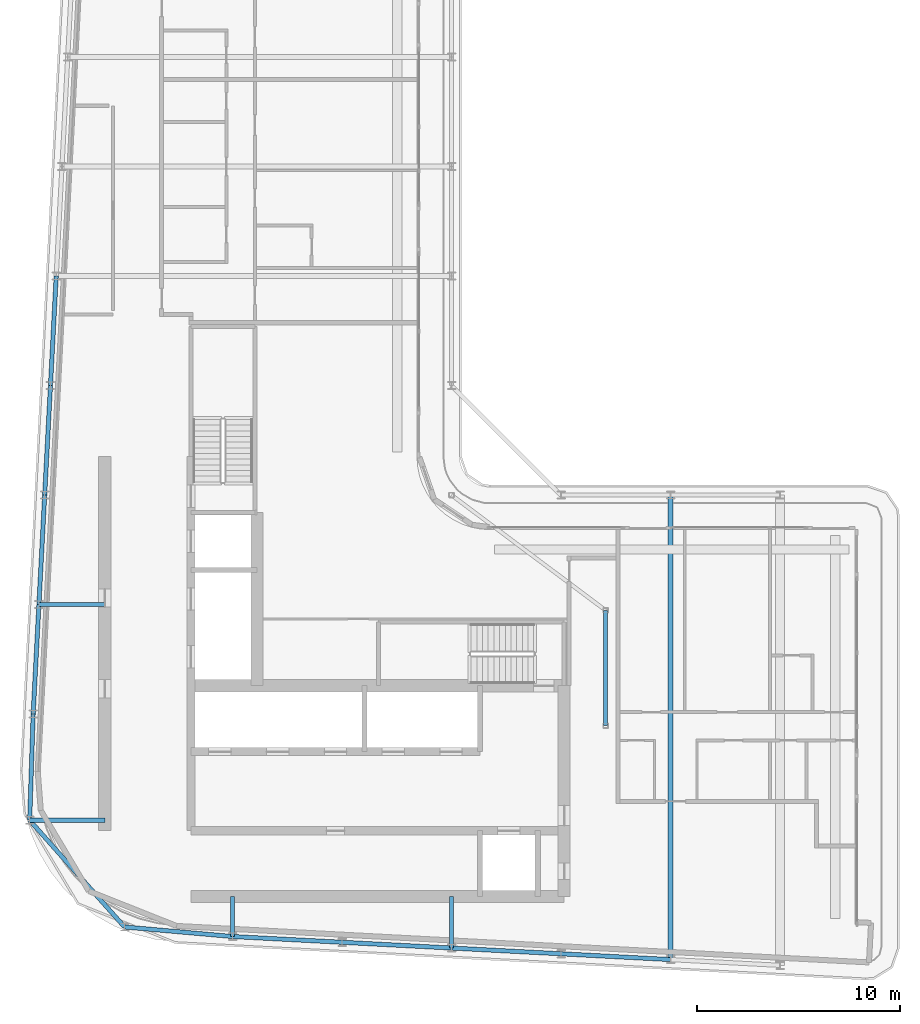
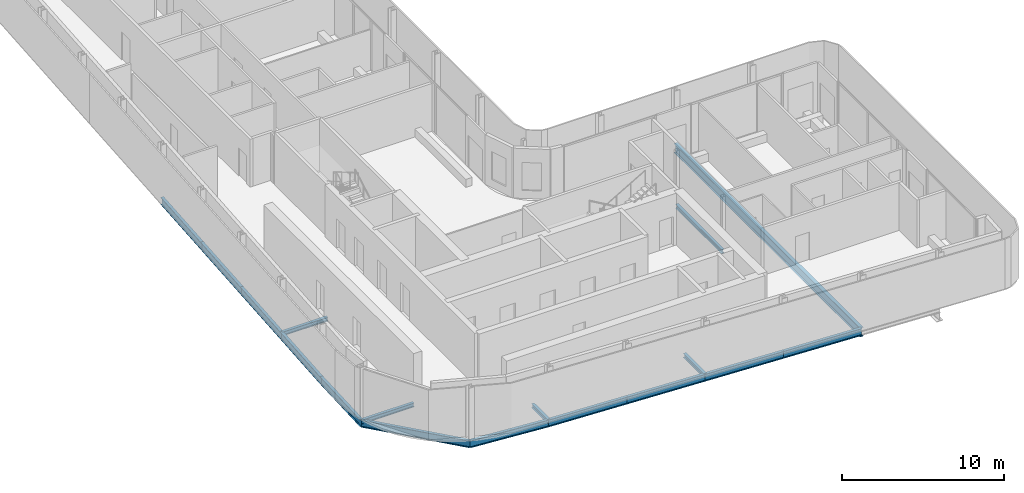
# One storey, part 5 of 21: 17 beams.
"""IFC4 building model written with IfcOpenShell, lengths in metres."""

from ifc_helpers import new_model, si_unit, direction, frame, origin, origin_2d, place, context, subcontext, project, spatial, i_section, extrude, material, material_profile, profile_set, type_object, element, save


model = new_model("IFC4")

# Units and contexts
model_context = context("Model", 3, precision=1e-05, world=origin(), true_north=direction((0.0, 1.0)))
body_context = subcontext(model_context, "Body", "Model", "MODEL_VIEW")
ifc_project = project(units=[si_unit("LENGTHUNIT", "METRE"), si_unit("AREAUNIT", "SQUARE_METRE"), si_unit("VOLUMEUNIT", "CUBIC_METRE"), si_unit("PLANEANGLEUNIT", "RADIAN"), si_unit("MASSUNIT", "GRAM", prefix="KILO")], contexts=[model_context])

# Site, building, storey
site_placement = place(None, origin())
site = spatial("IfcSite", under=ifc_project, at=site_placement, CompositionType="ELEMENT")
building_placement = place(site_placement, origin())
building = spatial("IfcBuilding", under=site, at=building_placement, Name="Kheshtan School and Residences Tower", CompositionType="ELEMENT")
storey_placement = place(building_placement, frame((0.0, 0.0, 298.10009765625)))
storey = spatial("IfcBuildingStorey", under=building, at=storey_placement, Name="L70", CompositionType="ELEMENT", Elevation=298.10009765625)

# Beams
ifc_material = material(Name="Steel ASTM A992 Grade 50", Category="steel")
ifc_material_profile_1 = material_profile(ifc_material, i_section(OverallWidth=0.202880859375, OverallDepth=0.302978515625, WebThickness=0.007568359375, FlangeThickness=0.01318359375, FilletRadius=0.009033203125, at=origin_2d()), Name="W310x60")
ifc_profile_set_1 = profile_set([ifc_material_profile_1], Name="Steel ASTM A992 Grade 50")
beam_type_1 = type_object("IfcBeamType", Name="Beam FB1 W310x60 ASTM A992 Grade 50", PredefinedType="BEAM", material=ifc_profile_set_1)
beam_1_placement = place(storey_placement, frame((47.60009765625, 23.263916015625, -0.301513671875), z_axis=(0.0, 1.0, 0.0), x_axis=(-1.0, 0.0, 0.0)))
element("IfcBeam", 1, at=beam_1_placement, inside=storey, type_object=beam_type_1, Name="Floor beam C020", PredefinedType="BEAM", context=body_context, shape_type="SweptSolid", body=[
    extrude(i_section(OverallWidth=0.202880859375, OverallDepth=0.302978515625, WebThickness=0.007568359375, FlangeThickness=0.01318359375, FilletRadius=0.009033203125, at=origin_2d()), origin(), (0.0, 0.0, 1.0), 2.5361328125),
])
beam_2_placement = place(storey_placement, frame((36.800048828125, 23.83203125, -0.301513671875), z_axis=(0.0, 1.0, 0.0), x_axis=(-1.0, 0.0, 0.0)))
element("IfcBeam", 2, at=beam_2_placement, inside=storey, type_object=beam_type_1, Name="Floor beam C022", PredefinedType="BEAM", context=body_context, shape_type="SweptSolid", body=[
    extrude(i_section(OverallWidth=0.202880859375, OverallDepth=0.302978515625, WebThickness=0.007568359375, FlangeThickness=0.01318359375, FilletRadius=0.009033203125, at=origin_2d()), origin(), (0.0, 0.0, 1.0), 1.968017578125),
])
beam_3_placement = place(storey_placement, frame((26.797119140625, 29.56591796875, -0.301513671875), z_axis=(1.0, 0.0, 0.0), x_axis=(0.0, 1.0, 0.0)))
element("IfcBeam", 3, at=beam_3_placement, inside=storey, type_object=beam_type_1, Name="Floor beam C044", PredefinedType="BEAM", context=body_context, shape_type="SweptSolid", body=[
    extrude(i_section(OverallWidth=0.202880859375, OverallDepth=0.302978515625, WebThickness=0.007568359375, FlangeThickness=0.01318359375, FilletRadius=0.009033203125, at=origin_2d()), origin(), (0.0, 0.0, 1.0), 3.702880859375),
])
beam_4_placement = place(storey_placement, frame((27.2529296875, 40.199951171875, -0.301513671875), z_axis=(1.0, 0.0, 0.0), x_axis=(0.0, 1.0, 0.0)))
element("IfcBeam", 4, at=beam_4_placement, inside=storey, type_object=beam_type_1, Name="Floor beam C056", PredefinedType="BEAM", context=body_context, shape_type="SweptSolid", body=[
    extrude(i_section(OverallWidth=0.202880859375, OverallDepth=0.302978515625, WebThickness=0.007568359375, FlangeThickness=0.01318359375, FilletRadius=0.009033203125, at=origin_2d()), origin(), (0.0, 0.0, 1.0), 3.2470703125),
])
beam_5_placement = place(storey_placement, frame((55.199951171875, 34.23193359375, -0.301513671875), z_axis=(0.0, 1.0, 0.0), x_axis=(-1.0, 0.0, 0.0)))
element("IfcBeam", 5, at=beam_5_placement, inside=storey, type_object=beam_type_1, Name="Floor beam IC", PredefinedType="BEAM", context=body_context, shape_type="SweptSolid", body=[
    extrude(i_section(OverallWidth=0.202880859375, OverallDepth=0.302978515625, WebThickness=0.007568359375, FlangeThickness=0.01318359375, FilletRadius=0.009033203125, at=origin_2d()), origin(), (0.0, 0.0, 1.0), 5.68408203125),
])
ifc_material_profile_2 = material_profile(ifc_material, i_section(OverallWidth=0.2529296875, OverallDepth=0.677978515625, WebThickness=0.01171875, FlangeThickness=0.016357421875, FilletRadius=0.0146484375, at=origin_2d()), Name="W690x125")
ifc_profile_set_2 = profile_set([ifc_material_profile_2], Name="Steel ASTM A992 Grade 50")
beam_type_2 = type_object("IfcBeamType", Name="Beam FB6 W690x125 ASTM A992 Grade 50", PredefinedType="BEAM", material=ifc_profile_set_2)
beam_6_placement = place(storey_placement, frame((58.39990234375, 22.695068359375, -0.489013671875), z_axis=(0.0, 1.0, 0.0), x_axis=(-1.0, 0.0, 0.0)))
element("IfcBeam", 6, at=beam_6_placement, inside=storey, type_object=beam_type_2, Name="Floor beam C018", PredefinedType="BEAM", context=body_context, shape_type="SweptSolid", body=[
    extrude(i_section(OverallWidth=0.2529296875, OverallDepth=0.677978515625, WebThickness=0.01171875, FlangeThickness=0.016357421875, FilletRadius=0.0146484375, at=origin_2d()), origin(), (0.0, 0.0, 1.0), 22.905029296875),
])
ifc_material_profile_3 = material_profile(ifc_material, i_section(OverallWidth=0.208984375, OverallDepth=0.532958984375, WebThickness=0.01025390625, FlangeThickness=0.015625, FilletRadius=0.013916015625, at=origin_2d()), Name="W530x92")
ifc_profile_set_3 = profile_set([ifc_material_profile_3], Name="Steel ASTM A992 Grade 50")
beam_type_3 = type_object("IfcBeamType", Name="Beam SP3 W530x92 ASTM A992 Grade 50", PredefinedType="BEAM", material=ifc_profile_set_3)
for number, where, z_axis, x_axis, name in (
    (7, (58.39990234375, 22.695068359375, -0.41650390625), (-0.998610961136, 0.052689166816, 0.0), (-0.052689166816, -0.998610961136, 0.0), "Spandrel beam C018-C019"),
    (8, (53.0, 22.97998046875, -0.41650390625), (-0.998620447272, 0.05250906864, 0.0), (-0.05250906864, -0.998620447272, 0.0), "Spandrel beam C019-C020"),
):
    element("IfcBeam", number, at=place(storey_placement, frame(where, z_axis=z_axis, x_axis=x_axis)), inside=storey, type_object=beam_type_3, Name=name, PredefinedType="BEAM", context=body_context, shape_type="SweptSolid", body=[
        extrude(i_section(OverallWidth=0.208984375, OverallDepth=0.532958984375, WebThickness=0.01025390625, FlangeThickness=0.015625, FilletRadius=0.013916015625, at=origin_2d()), origin(), (0.0, 0.0, 1.0), 5.407470703125),
    ])
beam_7_placement = place(storey_placement, frame((47.60009765625, 23.263916015625, -0.41650390625), z_axis=(-0.998618203458, 0.052551724256, 0.0), x_axis=(-0.052551724256, -0.998618203458, 0.0)))
element("IfcBeam", 9, at=beam_7_placement, inside=storey, type_object=beam_type_3, Name="Spandrel beam C020-C021", PredefinedType="BEAM", context=body_context, shape_type="SweptSolid", body=[
    extrude(i_section(OverallWidth=0.208984375, OverallDepth=0.532958984375, WebThickness=0.01025390625, FlangeThickness=0.015625, FilletRadius=0.013916015625, at=origin_2d()), origin(), (0.0, 0.0, 1.0), 5.40771484375),
])
beam_8_placement = place(storey_placement, frame((42.199951171875, 23.548095703125, -0.41650390625), z_axis=(-0.998620447272, 0.05250906864, 0.0), x_axis=(-0.05250906864, -0.998620447272, 0.0)))
element("IfcBeam", 10, at=beam_8_placement, inside=storey, type_object=beam_type_3, Name="Spandrel beam C021-C022", PredefinedType="BEAM", context=body_context, shape_type="SweptSolid", body=[
    extrude(i_section(OverallWidth=0.208984375, OverallDepth=0.532958984375, WebThickness=0.01025390625, FlangeThickness=0.015625, FilletRadius=0.013916015625, at=origin_2d()), origin(), (0.0, 0.0, 1.0), 5.407470703125),
])
beam_9_placement = place(storey_placement, frame((36.800048828125, 23.83203125, -0.41650390625), z_axis=(-0.996129262073, 0.087900473504, 0.0), x_axis=(-0.087900473504, -0.996129262073, 0.0)))
element("IfcBeam", 11, at=beam_9_placement, inside=storey, type_object=beam_type_3, Name="Spandrel beam C022-C031", PredefinedType="BEAM", context=body_context, shape_type="SweptSolid", body=[
    extrude(i_section(OverallWidth=0.208984375, OverallDepth=0.532958984375, WebThickness=0.01025390625, FlangeThickness=0.015625, FilletRadius=0.013916015625, at=origin_2d()), origin(), (0.0, 0.0, 1.0), 5.3466796875),
])
beam_10_placement = place(storey_placement, frame((31.47412109375, 24.302001953125, -0.41650390625), z_axis=(-0.664202421408, 0.747552769639, 0.0), x_axis=(-0.747552769639, -0.664202421408, 0.0)))
element("IfcBeam", 12, at=beam_10_placement, inside=storey, type_object=beam_type_3, Name="Spandrel beam C031-C044", PredefinedType="BEAM", context=body_context, shape_type="SweptSolid", body=[
    extrude(i_section(OverallWidth=0.208984375, OverallDepth=0.532958984375, WebThickness=0.01025390625, FlangeThickness=0.015625, FilletRadius=0.013916015625, at=origin_2d()), origin(), (0.0, 0.0, 1.0), 7.04150390625),
])
beam_11_placement = place(storey_placement, frame((26.797119140625, 29.56591796875, -0.41650390625), z_axis=(0.032819662671, 0.999461289767, 0.0), x_axis=(-0.999461289767, 0.032819662671, 0.0)))
element("IfcBeam", 13, at=beam_11_placement, inside=storey, type_object=beam_type_3, Name="Spandrel beam C044-C052", PredefinedType="BEAM", context=body_context, shape_type="SweptSolid", body=[
    extrude(i_section(OverallWidth=0.208984375, OverallDepth=0.532958984375, WebThickness=0.01025390625, FlangeThickness=0.015625, FilletRadius=0.013916015625, at=origin_2d()), origin(), (0.0, 0.0, 1.0), 5.237060546875),
])
beam_12_placement = place(storey_placement, frame((26.968994140625, 34.800048828125, -0.41650390625), z_axis=(0.05250906864, 0.998620447272, 0.0), x_axis=(-0.998620447272, 0.05250906864, 0.0)))
element("IfcBeam", 14, at=beam_12_placement, inside=storey, type_object=beam_type_3, Name="Spandrel beam C052-C056", PredefinedType="BEAM", context=body_context, shape_type="SweptSolid", body=[
    extrude(i_section(OverallWidth=0.208984375, OverallDepth=0.532958984375, WebThickness=0.01025390625, FlangeThickness=0.015625, FilletRadius=0.013916015625, at=origin_2d()), origin(), (0.0, 0.0, 1.0), 5.407470703125),
])
beam_13_placement = place(storey_placement, frame((27.2529296875, 40.199951171875, -0.41650390625), z_axis=(0.052551724256, 0.998618203458, 0.0), x_axis=(-0.998618203458, 0.052551724256, 0.0)))
element("IfcBeam", 15, at=beam_13_placement, inside=storey, type_object=beam_type_3, Name="Spandrel beam C056-C059", PredefinedType="BEAM", context=body_context, shape_type="SweptSolid", body=[
    extrude(i_section(OverallWidth=0.208984375, OverallDepth=0.532958984375, WebThickness=0.01025390625, FlangeThickness=0.015625, FilletRadius=0.013916015625, at=origin_2d()), origin(), (0.0, 0.0, 1.0), 5.40771484375),
])
for number, where, z_axis, x_axis, name in (
    (16, (27.537109375, 45.60009765625, -0.41650390625), (0.052689166816, 0.998610961136, 0.0), (-0.998610961136, 0.052689166816, 0.0), "Spandrel beam C059-C078"),
    (17, (27.822021484375, 51.0, -0.41650390625), (0.05250906864, 0.998620447272, 0.0), (-0.998620447272, 0.05250906864, 0.0), "Spandrel beam C078-C080"),
):
    element("IfcBeam", number, at=place(storey_placement, frame(where, z_axis=z_axis, x_axis=x_axis)), inside=storey, type_object=beam_type_3, Name=name, PredefinedType="BEAM", context=body_context, shape_type="SweptSolid", body=[
        extrude(i_section(OverallWidth=0.208984375, OverallDepth=0.532958984375, WebThickness=0.01025390625, FlangeThickness=0.015625, FilletRadius=0.013916015625, at=origin_2d()), origin(), (0.0, 0.0, 1.0), 5.407470703125),
    ])

save(model, "model.ifc")
